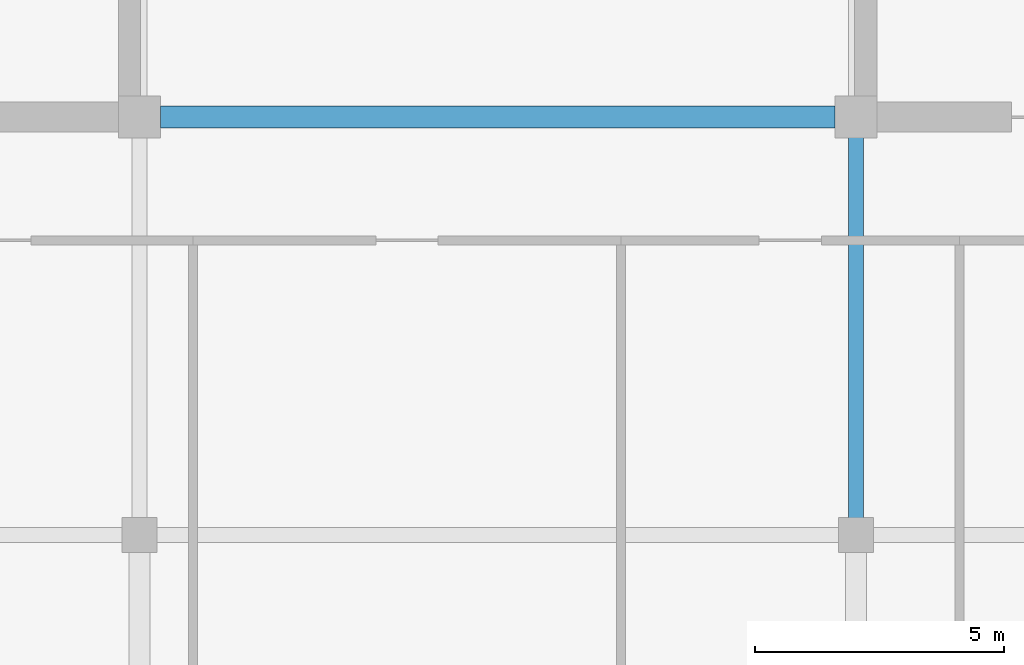
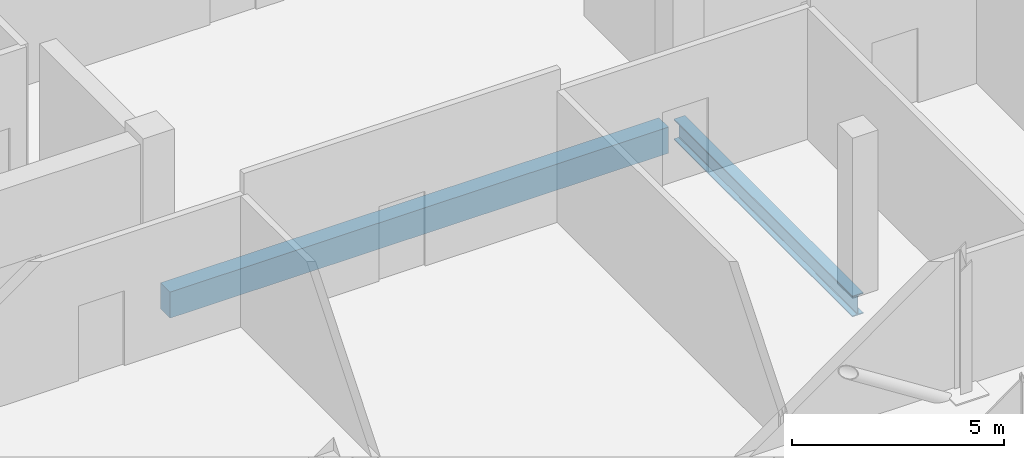
# One storey, part 10 of 28: 2 beams.
"""IFC4 building model written with IfcOpenShell, lengths in metres."""

from ifc_helpers import new_model, si_unit, direction, frame, origin, origin_2d, place, context, subcontext, project, spatial, rectangle, i_section, extrude, material, material_profile, profile_set, type_object, element, save


model = new_model("IFC4")

# Units and contexts
model_context = context("Model", 3, precision=1e-05, world=origin(), true_north=direction((0.0, 1.0)))
body_context = subcontext(model_context, "Body", "Model", "MODEL_VIEW")
ifc_project = project(units=[si_unit("LENGTHUNIT", "METRE"), si_unit("AREAUNIT", "SQUARE_METRE"), si_unit("VOLUMEUNIT", "CUBIC_METRE"), si_unit("PLANEANGLEUNIT", "RADIAN"), si_unit("MASSUNIT", "GRAM", prefix="KILO")], contexts=[model_context])

# Site, building, storey
site_placement = place(None, origin())
site = spatial("IfcSite", under=ifc_project, at=site_placement, CompositionType="ELEMENT")
building_placement = place(site_placement, origin())
building = spatial("IfcBuilding", under=site, at=building_placement, Name="Zarnakvel Exchange Tower", CompositionType="ELEMENT")
storey_placement = place(building_placement, frame((0.0, 0.0, 271.60009765625)))
storey = spatial("IfcBuildingStorey", under=building, at=storey_placement, Name="Crown L77", CompositionType="ELEMENT", Elevation=271.60009765625)

# Beams
ifc_material_1 = material(Name="Concrete C50/60", Category="concrete")
ifc_material_profile_1 = material_profile(ifc_material_1, rectangle(XDim=0.449951171875, YDim=0.75, at=origin_2d()))
ifc_profile_set_1 = profile_set([ifc_material_profile_1], Name="Concrete C50/60")
beam_type_1 = type_object("IfcBeamType", Name="CB-03", PredefinedType="LINTEL", material=ifc_profile_set_1)
beam_1_placement = place(storey_placement, frame((-6.77490234375, -1.199951171875, -0.59521484375), z_axis=(1.0, 0.0, 0.0), x_axis=(0.0, 1.0, 0.0)))
element("IfcBeam", 1, at=beam_1_placement, inside=storey, type_object=beam_type_1, Name="Crown L77 Rear Core South Coupling Beam (CB-03)", PredefinedType="LINTEL", context=body_context, shape_type="SweptSolid", body=[
    extrude(rectangle(XDim=0.449951171875, YDim=0.75, at=origin_2d()), origin(), (0.0, 0.0, 1.0), 13.5498046875),
])
ifc_material_2 = material(Name="Steel S355", Category="steel")
ifc_material_profile_2 = material_profile(ifc_material_2, i_section(OverallWidth=0.300048828125, OverallDepth=0.60009765625, WebThickness=0.015380859375, FlangeThickness=0.030029296875, FilletRadius=0.027099609375, at=origin_2d()))
ifc_profile_set_2 = profile_set([ifc_material_profile_2], Name="Steel S355")
beam_type_2 = type_object("IfcBeamType", Name="G-04", PredefinedType="BEAM", material=ifc_profile_set_2)
beam_2_placement = place(storey_placement, frame((7.199951171875, -9.60009765625, -0.52001953125), z_axis=(0.0, 1.0, 0.0), x_axis=(-1.0, 0.0, 0.0)))
element("IfcBeam", 2, at=beam_2_placement, inside=storey, type_object=beam_type_2, Name="Crown L77 Tower N-S Frame Beam", PredefinedType="BEAM", context=body_context, shape_type="SweptSolid", body=[
    extrude(i_section(OverallWidth=0.300048828125, OverallDepth=0.60009765625, WebThickness=0.015380859375, FlangeThickness=0.030029296875, FilletRadius=0.027099609375, at=origin_2d()), origin(), (0.0, 0.0, 1.0), 8.400146484375),
])

save(model, "model.ifc")
